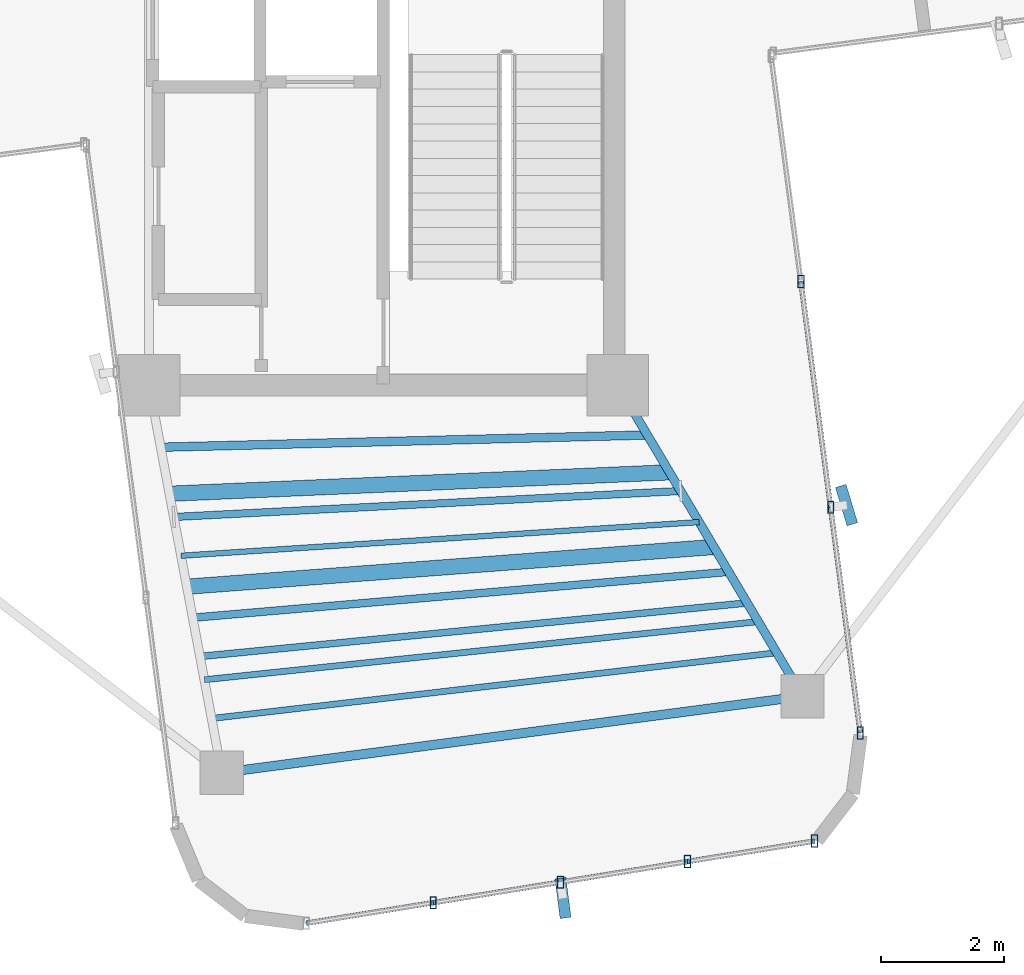
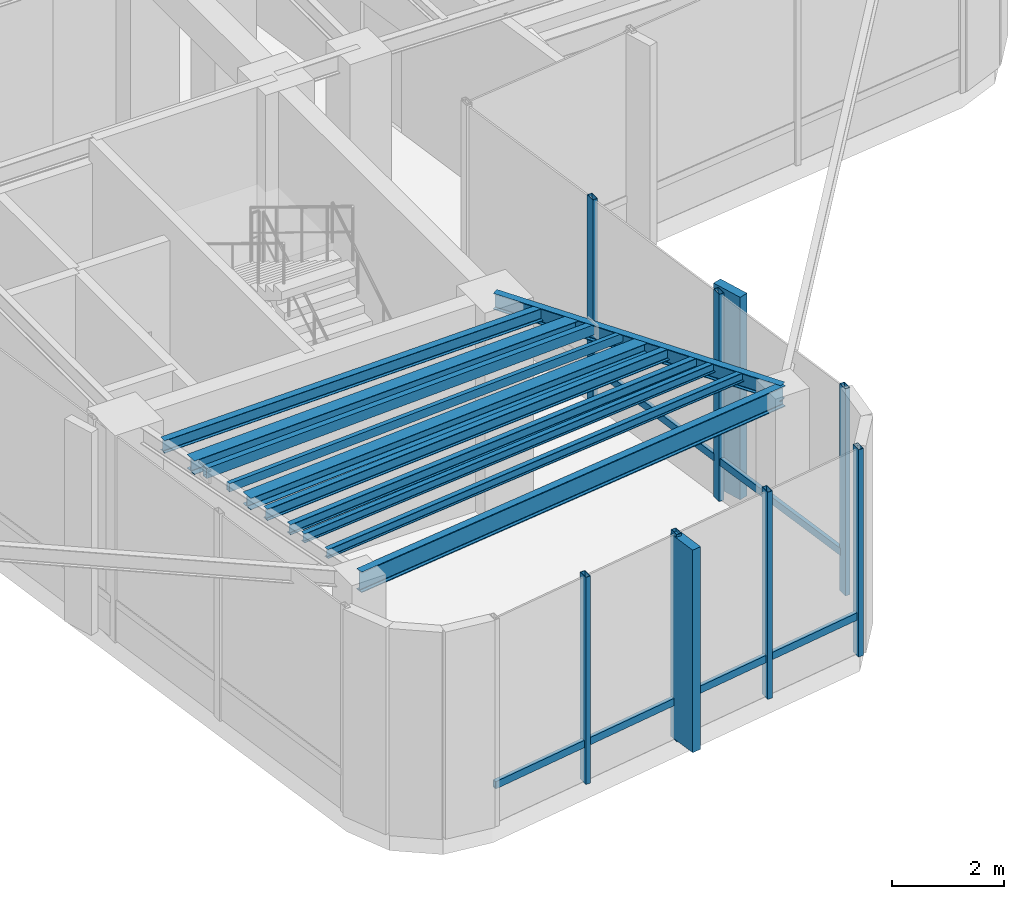
# One storey, part 3 of 16: 15 members, 11 beams, 2 elements without a shape of their own.
"""IFC4 building model written with IfcOpenShell, lengths in metres."""

from ifc_helpers import new_model, si_unit, direction, frame, origin, origin_2d, place, context, subcontext, project, spatial, rectangle, hollow_rectangle, i_section, extrude, source, transform, mapped, material, material_profile, profile_set, type_object, element, aggregate, save


model = new_model("IFC4")

# Units and contexts
model_context = context("Model", 3, precision=1e-05, world=origin(), true_north=direction((0.0, 1.0)))
body_context = subcontext(model_context, "Body", "Model", "MODEL_VIEW")
ifc_project = project(units=[si_unit("LENGTHUNIT", "METRE"), si_unit("AREAUNIT", "SQUARE_METRE"), si_unit("VOLUMEUNIT", "CUBIC_METRE"), si_unit("PLANEANGLEUNIT", "RADIAN"), si_unit("MASSUNIT", "GRAM", prefix="KILO")], contexts=[model_context])

# Site, building, storey
site_placement = place(None, origin())
site = spatial("IfcSite", under=ifc_project, at=site_placement, CompositionType="ELEMENT")
building_placement = place(site_placement, origin())
building = spatial("IfcBuilding", under=site, at=building_placement, Name="Sahyath Konkavel Grand Hotel", CompositionType="ELEMENT")
storey_placement = place(building_placement, frame((0.0, 0.0, 280.300048828125)))
storey = spatial("IfcBuildingStorey", under=building, at=storey_placement, Name="L78", CompositionType="ELEMENT", Elevation=280.300048828125)

# Beams
ifc_material_1 = material(Name="Steel E350", Category="steel")
ifc_material_profile_1 = material_profile(ifc_material_1, i_section(OverallWidth=0.14990234375, OverallDepth=0.449951171875, WebThickness=0.009521484375, FlangeThickness=0.017333984375, FilletRadius=0.014892578125, at=origin_2d()), Name="ISMB 450")
ifc_profile_set_1 = profile_set([ifc_material_profile_1], Name="Steel E350")
beam_type_1 = type_object("IfcBeamType", Name="BM-ISMB450", PredefinedType="BEAM", material=ifc_profile_set_1)
shared_shape_1 = source(origin(), body_context, "Body", "SweptSolid", [
    extrude(i_section(OverallWidth=0.14990234375, OverallDepth=0.449951171875, WebThickness=0.009521484375, FlangeThickness=0.017333984375, FilletRadius=0.014892578125, at=origin_2d()), origin(), (0.0, 0.0, 1.0), 9.5),
])
beam_1_placement = place(storey_placement, frame((-2.620849609375, -16.483154296875, 4.27490234375), z_axis=(0.991444933556, 0.130525643939, 0.0), x_axis=(-0.130525643939, 0.991444933556, 0.0)))
element("IfcBeam", 1, at=beam_1_placement, inside=storey, type_object=beam_type_1, Name="L78 Wing Tip Edge Beam S", PredefinedType="BEAM", context=body_context, shape_type="MappedRepresentation", body=[
    mapped(shared_shape_1, transform((0.0, 0.0, 0.0), scale=1.0)),
])
ifc_material_profile_2 = material_profile(ifc_material_1, i_section(OverallWidth=0.139892578125, OverallDepth=0.35009765625, WebThickness=0.008056640625, FlangeThickness=0.01416015625, FilletRadius=0.013916015625, at=origin_2d()), Name="ISMB 350")
ifc_profile_set_2 = profile_set([ifc_material_profile_2], Name="Steel E350")
beam_type_2 = type_object("IfcBeamType", Name="BM-ISMB350", PredefinedType="BEAM", material=ifc_profile_set_2)
shared_shape_2 = source(origin(), body_context, "Body", "SweptSolid", [
    extrude(i_section(OverallWidth=0.139892578125, OverallDepth=0.35009765625, WebThickness=0.008056640625, FlangeThickness=0.01416015625, FilletRadius=0.013916015625, at=origin_2d()), origin(), (0.0, 0.0, 1.0), 5.866943359375),
])
beam_2_placement = place(storey_placement, frame((3.800048828125, -10.199951171875, 4.324951171875), z_axis=(0.510966539123, -0.859600602546, 0.0), x_axis=(0.859600602546, 0.510966539123, 0.0)))
element("IfcBeam", 2, at=beam_2_placement, inside=storey, type_object=beam_type_2, Name="L78 Cruciform Radial Girder SB", PredefinedType="BEAM", context=body_context, shape_type="MappedRepresentation", body=[
    mapped(shared_shape_2, transform((0.0, 0.0, 0.0), scale=1.0)),
])
ifc_material_profile_3 = material_profile(ifc_material_1, i_section(OverallWidth=0.25, OverallDepth=0.300048828125, WebThickness=0.009521484375, FlangeThickness=0.010498046875, FilletRadius=0.010986328125, at=origin_2d()), Name="ISHB 300")
ifc_profile_set_3 = profile_set([ifc_material_profile_3], Name="Steel E350")
beam_type_3 = type_object("IfcBeamType", Name="BM-ISHB300", PredefinedType="BEAM", material=ifc_profile_set_3)
shared_shape_3 = source(origin(), body_context, "Body", "SweptSolid", [
    extrude(i_section(OverallWidth=0.25, OverallDepth=0.300048828125, WebThickness=0.009521484375, FlangeThickness=0.010498046875, FilletRadius=0.010986328125, at=origin_2d()), origin(), (0.0, 0.0, 1.0), 8.11669921875),
])
beam_3_placement = place(storey_placement, frame((-3.469970703125, -11.959228515625, 4.349853515625), z_axis=(0.999084879956, 0.042771516718, 0.0), x_axis=(-0.042771516718, 0.999084879956, 0.0)))
element("IfcBeam", 3, at=beam_3_placement, inside=storey, type_object=beam_type_3, Name="L78 Secondary Floor Beam S-1", PredefinedType="BEAM", context=body_context, shape_type="MappedRepresentation", body=[
    mapped(shared_shape_3, transform((0.0, 0.0, 0.0), scale=1.0)),
])
ifc_material_profile_4 = material_profile(ifc_material_1, i_section(OverallWidth=0.25, OverallDepth=0.25, WebThickness=0.0087890625, FlangeThickness=0.009765625, FilletRadius=0.010009765625, at=origin_2d()), Name="ISHB 250")
ifc_profile_set_4 = profile_set([ifc_material_profile_4], Name="Steel E350")
beam_type_4 = type_object("IfcBeamType", Name="BM-ISHB250", PredefinedType="BEAM", material=ifc_profile_set_4)
shared_shape_4 = source(origin(), body_context, "Body", "SweptSolid", [
    extrude(i_section(OverallWidth=0.25, OverallDepth=0.25, WebThickness=0.0087890625, FlangeThickness=0.009765625, FilletRadius=0.010009765625, at=origin_2d()), origin(), (0.0, 0.0, 1.0), 8.570068359375),
])
beam_4_placement = place(storey_placement, frame((-3.18701171875, -13.46728515625, 4.375), z_axis=(0.997165854664, 0.075234688098, 0.0), x_axis=(-0.075234688098, 0.997165854664, 0.0)))
element("IfcBeam", 4, at=beam_4_placement, inside=storey, type_object=beam_type_4, Name="L78 Secondary Floor Beam S-2", PredefinedType="BEAM", context=body_context, shape_type="MappedRepresentation", body=[
    mapped(shared_shape_4, transform((0.0, 0.0, 0.0), scale=1.0)),
])
ifc_material_profile_5 = material_profile(ifc_material_1, i_section(OverallWidth=0.10009765625, OverallDepth=0.199951171875, WebThickness=0.005615234375, FlangeThickness=0.0107421875, FilletRadius=0.010986328125, at=origin_2d()), Name="ISMB 200")
ifc_profile_set_5 = profile_set([ifc_material_profile_5], Name="Steel E350")
beam_type_5 = type_object("IfcBeamType", Name="BM-ISMB200", PredefinedType="BEAM", material=ifc_profile_set_5)
shared_shape_5 = source(origin(), body_context, "Body", "SweptSolid", [
    extrude(i_section(OverallWidth=0.10009765625, OverallDepth=0.199951171875, WebThickness=0.005615234375, FlangeThickness=0.0107421875, FilletRadius=0.010986328125, at=origin_2d()), origin(), (0.0, 0.0, 1.0), 9.031494140625),
])
beam_5_placement = place(storey_placement, frame((-2.90380859375, -14.97509765625, 4.39990234375), z_axis=(0.994541240043, 0.104344246869, 0.0), x_axis=(-0.104344246869, 0.994541240043, 0.0)))
element("IfcBeam", 5, at=beam_5_placement, inside=storey, type_object=beam_type_5, Name="L78 Secondary Floor Beam S-3", PredefinedType="BEAM", context=body_context, shape_type="MappedRepresentation", body=[
    mapped(shared_shape_5, transform((0.0, 0.0, 0.0), scale=1.0)),
])
ifc_material_profile_6 = material_profile(ifc_material_1, i_section(OverallWidth=0.139892578125, OverallDepth=0.27490234375, WebThickness=0.00634765625, FlangeThickness=0.0087890625, FilletRadius=0.012939453125, at=origin_2d()), Name="ISLB 275")
ifc_profile_set_6 = profile_set([ifc_material_profile_6], Name="Steel E350")
beam_type_6 = type_object("IfcBeamType", Name="BM-ISLB275", PredefinedType="BEAM", material=ifc_profile_set_6)
shared_shape_6 = source(origin(), body_context, "Body", "SweptSolid", [
    extrude(i_section(OverallWidth=0.139892578125, OverallDepth=0.27490234375, WebThickness=0.00634765625, FlangeThickness=0.0087890625, FilletRadius=0.012939453125, at=origin_2d()), origin(), (0.0, 0.0, 1.0), 7.893310546875),
])
beam_6_placement = place(storey_placement, frame((-3.611328125, -11.205322265625, 4.362548828125), z_axis=(0.999683790083, 0.025145970772, 0.0), x_axis=(-0.025145970772, 0.999683790083, 0.0)))
element("IfcBeam", 6, at=beam_6_placement, inside=storey, type_object=beam_type_6, Name="L78 Composite Deck Sub-Beam S-1", PredefinedType="BEAM", context=body_context, shape_type="MappedRepresentation", body=[
    mapped(shared_shape_6, transform((0.0, 0.0, 0.0), scale=1.0)),
])
ifc_material_profile_7 = material_profile(ifc_material_1, hollow_rectangle(XDim=0.1201171875, YDim=0.219970703125, WallThickness=0.010009765625, at=origin_2d()), Name="RHS 220x120x10")
ifc_profile_set_7 = profile_set([ifc_material_profile_7], Name="Steel E350")
beam_type_7 = type_object("IfcBeamType", Name="BM-RHS220", PredefinedType="BEAM", material=ifc_profile_set_7)
shared_shape_7 = source(origin(), body_context, "Body", "SweptSolid", [
    extrude(hollow_rectangle(XDim=0.1201171875, YDim=0.219970703125, WallThickness=0.010009765625, at=origin_2d()), origin(), (0.0, 0.0, 1.0), 8.229248046875),
])
beam_7_placement = place(storey_placement, frame((-3.399169921875, -12.336181640625, 4.389892578125), z_axis=(0.998688130329, 0.051205647534, 0.0), x_axis=(-0.051205647534, 0.998688130329, 0.0)))
element("IfcBeam", 7, at=beam_7_placement, inside=storey, type_object=beam_type_7, Name="L78 Composite Deck Sub-Beam S-2", PredefinedType="BEAM", context=body_context, shape_type="MappedRepresentation", body=[
    mapped(shared_shape_7, transform((0.0, 0.0, 0.0), scale=1.0)),
])
ifc_material_profile_8 = material_profile(ifc_material_1, hollow_rectangle(XDim=0.090087890625, YDim=0.179931640625, WallThickness=0.008056640625, at=origin_2d()), Name="RHS 180x90x8")
ifc_profile_set_8 = profile_set([ifc_material_profile_8], Name="Steel E350")
beam_type_8 = type_object("IfcBeamType", Name="BM-RHS180", PredefinedType="BEAM", material=ifc_profile_set_8)
shared_shape_8 = source(origin(), body_context, "Body", "SweptSolid", [
    extrude(hollow_rectangle(XDim=0.090087890625, YDim=0.179931640625, WallThickness=0.008056640625, at=origin_2d()), origin(), (0.0, 0.0, 1.0), 8.41796875),
])
beam_8_placement = place(storey_placement, frame((-3.28125, -12.964599609375, 4.409912109375), z_axis=(0.997896901011, 0.064821099595, 0.0), x_axis=(-0.064821099595, 0.997896901011, 0.0)))
element("IfcBeam", 8, at=beam_8_placement, inside=storey, type_object=beam_type_8, Name="L78 Composite Deck Sub-Beam S-3", PredefinedType="BEAM", context=body_context, shape_type="MappedRepresentation", body=[
    mapped(shared_shape_8, transform((0.0, 0.0, 0.0), scale=1.0)),
])
ifc_material_profile_9 = material_profile(ifc_material_1, i_section(OverallWidth=0.125, OverallDepth=0.25, WebThickness=0.0068359375, FlangeThickness=0.012451171875, FilletRadius=0.012939453125, at=origin_2d()), Name="ISMB 250")
ifc_profile_set_9 = profile_set([ifc_material_profile_9], Name="Steel E350")
beam_type_9 = type_object("IfcBeamType", Name="BM-ISMB250", PredefinedType="BEAM", material=ifc_profile_set_9)
shared_shape_9 = source(origin(), body_context, "Body", "SweptSolid", [
    extrude(i_section(OverallWidth=0.125, OverallDepth=0.25, WebThickness=0.0068359375, FlangeThickness=0.012451171875, FilletRadius=0.012939453125, at=origin_2d()), origin(), (0.0, 0.0, 1.0), 8.722900390625),
])
beam_9_placement = place(storey_placement, frame((-3.092529296875, -13.969970703125, 4.375), z_axis=(0.996354605721, 0.085308262542, 0.0), x_axis=(-0.085308262542, 0.996354605721, 0.0)))
element("IfcBeam", 9, at=beam_9_placement, inside=storey, type_object=beam_type_9, Name="L78 Composite Deck Sub-Beam S-4", PredefinedType="BEAM", context=body_context, shape_type="MappedRepresentation", body=[
    mapped(shared_shape_9, transform((0.0, 0.0, 0.0), scale=1.0)),
])
ifc_material_profile_10 = material_profile(ifc_material_1, i_section(OverallWidth=0.110107421875, OverallDepth=0.22509765625, WebThickness=0.006591796875, FlangeThickness=0.01171875, FilletRadius=0.011962890625, at=origin_2d()), Name="ISMB 225")
ifc_profile_set_10 = profile_set([ifc_material_profile_10], Name="Steel E350")
beam_type_10 = type_object("IfcBeamType", Name="BM-ISMB225", PredefinedType="BEAM", material=ifc_profile_set_10)
shared_shape_10 = source(origin(), body_context, "Body", "SweptSolid", [
    extrude(i_section(OverallWidth=0.110107421875, OverallDepth=0.22509765625, WebThickness=0.006591796875, FlangeThickness=0.01171875, FilletRadius=0.011962890625, at=origin_2d()), origin(), (0.0, 0.0, 1.0), 8.915283203125),
])
beam_10_placement = place(storey_placement, frame((-2.974609375, -14.59814453125, 4.387451171875), z_axis=(0.995250138935, 0.097350711092, 0.0), x_axis=(-0.097350711092, 0.995250138935, 0.0)))
element("IfcBeam", 10, at=beam_10_placement, inside=storey, type_object=beam_type_10, Name="L78 Composite Deck Sub-Beam S-5", PredefinedType="BEAM", context=body_context, shape_type="MappedRepresentation", body=[
    mapped(shared_shape_10, transform((0.0, 0.0, 0.0), scale=1.0)),
])
shared_shape_11 = source(origin(), body_context, "Body", "SweptSolid", [
    extrude(i_section(OverallWidth=0.10009765625, OverallDepth=0.199951171875, WebThickness=0.005615234375, FlangeThickness=0.0107421875, FilletRadius=0.010986328125, at=origin_2d()), origin(), (0.0, 0.0, 1.0), 9.225830078125),
])
beam_11_placement = place(storey_placement, frame((-2.785888671875, -15.603515625, 4.39990234375), z_axis=(0.993297209422, 0.115588294191, 0.0), x_axis=(-0.115588294191, 0.993297209422, 0.0)))
element("IfcBeam", 11, at=beam_11_placement, inside=storey, type_object=beam_type_5, Name="L78 Composite Deck Sub-Beam S-6", PredefinedType="BEAM", context=body_context, shape_type="MappedRepresentation", body=[
    mapped(shared_shape_11, transform((0.0, 0.0, 0.0), scale=1.0)),
])

# Curtain wall, members
ifc_material_2 = material(Name="Anodised Bronze Aluminium & Low-E Glazing", Category="aluminium")
curtain_wall_type = type_object("IfcCurtainWallType", Name="CW-CROWN-TMD", PredefinedType="NOTDEFINED", material=ifc_material_2)
curtain_wall_1_placement = place(storey_placement, origin())
curtain_wall_1 = element("IfcCurtainWall", 12, at=curtain_wall_1_placement, inside=storey, type_object=curtain_wall_type, Name="L78 Unitised Curtain Wall F28", PredefinedType="NOTDEFINED")
ifc_material_3 = material(Name="Anodised Bronze Aluminium", Category="aluminium")
ifc_material_profile_11 = material_profile(ifc_material_3, hollow_rectangle(XDim=0.080078125, YDim=0.159912109375, WallThickness=0.006103515625, at=origin_2d()), Name="RHS 160x80x6")
ifc_profile_set_11 = profile_set([ifc_material_profile_11], Name="Anodised Bronze Aluminium")
member_type_1 = type_object("IfcMemberType", Name="CW-TRN-160", PredefinedType="USERDEFINED", material=ifc_profile_set_11)
shared_shape_12 = source(origin(), body_context, "Body", "SweptSolid", [
    extrude(hollow_rectangle(XDim=0.080078125, YDim=0.159912109375, WallThickness=0.006103515625, at=origin_2d()), origin(), (0.0, 0.0, 1.0), 2.08740234375),
])
member_1_placement = place(storey_placement, frame((4.930419921875, -17.92431640625, 0.849853515625), z_axis=(0.98719124923, 0.159541334591, 0.0), x_axis=(-0.159541334591, 0.98719124923, 0.0)))
member_1 = element("IfcMember", 13, at=member_1_placement, type_object=member_type_1, Name="L78 Curtain Wall Transom F28-3-spandrel", ObjectType="TRANSOM", PredefinedType="USERDEFINED", context=body_context, shape_type="MappedRepresentation", body=[
    mapped(shared_shape_12, transform((0.0, 0.0, 0.0), scale=1.0)),
])
shared_shape_13 = source(origin(), body_context, "Body", "SweptSolid", [
    extrude(hollow_rectangle(XDim=0.080078125, YDim=0.159912109375, WallThickness=0.006103515625, at=origin_2d()), origin(), (0.0, 0.0, 1.0), 2.087158203125),
])
member_2_placement = place(storey_placement, frame((-1.25048828125, -18.923828125, 0.849853515625), z_axis=(0.987188271533, 0.159559758546, 0.0), x_axis=(-0.159559758546, 0.987188271533, 0.0)))
member_2 = element("IfcMember", 14, at=member_2_placement, type_object=member_type_1, Name="L78 Curtain Wall Transom F28-0-spandrel", ObjectType="TRANSOM", PredefinedType="USERDEFINED", context=body_context, shape_type="MappedRepresentation", body=[
    mapped(shared_shape_13, transform((0.0, 0.0, 0.0), scale=1.0)),
])
member_3_placement = place(storey_placement, frame((0.809814453125, -18.5908203125, 0.849853515625), z_axis=(0.98716983924, 0.159673756436, 0.0), x_axis=(-0.159673756436, 0.98716983924, 0.0)))
member_3 = element("IfcMember", 15, at=member_3_placement, type_object=member_type_1, Name="L78 Curtain Wall Transom F28-1-spandrel", ObjectType="TRANSOM", PredefinedType="USERDEFINED", context=body_context, shape_type="MappedRepresentation", body=[
    mapped(shared_shape_13, transform((0.0, 0.0, 0.0), scale=1.0)),
])
member_4_placement = place(storey_placement, frame((2.8701171875, -18.257568359375, 0.849853515625), z_axis=(0.98716983924, 0.159673756436, 0.0), x_axis=(-0.159673756436, 0.98716983924, 0.0)))
member_4 = element("IfcMember", 16, at=member_4_placement, type_object=member_type_1, Name="L78 Curtain Wall Transom F28-2-spandrel", ObjectType="TRANSOM", PredefinedType="USERDEFINED", context=body_context, shape_type="MappedRepresentation", body=[
    mapped(shared_shape_13, transform((0.0, 0.0, 0.0), scale=1.0)),
])
ifc_material_profile_12 = material_profile(ifc_material_3, hollow_rectangle(XDim=0.10009765625, YDim=0.199951171875, WallThickness=0.008056640625, at=origin_2d()), Name="RHS 200x100x8")
ifc_profile_set_12 = profile_set([ifc_material_profile_12], Name="Anodised Bronze Aluminium")
member_type_2 = type_object("IfcMemberType", Name="CW-MUL-200", PredefinedType="MULLION", material=ifc_profile_set_12)
shared_shape_14 = source(origin(), body_context, "Body", "SweptSolid", [
    extrude(hollow_rectangle(XDim=0.10009765625, YDim=0.199951171875, WallThickness=0.008056640625, at=origin_2d()), origin(), (0.0, 0.0, 1.0), 4.5),
])
member_5_placement = place(storey_placement, frame((0.809814453125, -18.5908203125, 0.0), z_axis=(0.0, 0.0, 1.0), x_axis=(1.0, 0.0, 0.0)))
member_5 = element("IfcMember", 17, at=member_5_placement, type_object=member_type_2, Name="L78 Curtain Wall Mullion F28-1", PredefinedType="MULLION", context=body_context, shape_type="MappedRepresentation", body=[
    mapped(shared_shape_14, transform((0.0, 0.0, 0.0), scale=1.0)),
])
member_6_placement = place(storey_placement, frame((2.8701171875, -18.257568359375, 0.0), z_axis=(0.0, 0.0, 1.0), x_axis=(1.0, 0.0, 0.0)))
member_6 = element("IfcMember", 18, at=member_6_placement, type_object=member_type_2, Name="L78 Curtain Wall Mullion F28-2", PredefinedType="MULLION", context=body_context, shape_type="MappedRepresentation", body=[
    mapped(shared_shape_14, transform((0.0, 0.0, 0.0), scale=1.0)),
])
member_7_placement = place(storey_placement, frame((4.930419921875, -17.92431640625, 0.0), z_axis=(0.0, 0.0, 1.0), x_axis=(1.0, 0.0, 0.0)))
member_7 = element("IfcMember", 19, at=member_7_placement, type_object=member_type_2, Name="L78 Curtain Wall Mullion F28-3", PredefinedType="MULLION", context=body_context, shape_type="MappedRepresentation", body=[
    mapped(shared_shape_14, transform((0.0, 0.0, 0.0), scale=1.0)),
])
member_8_placement = place(storey_placement, frame((6.990966796875, -17.59130859375, 0.0), z_axis=(0.0, 0.0, 1.0), x_axis=(1.0, 0.0, 0.0)))
member_8 = element("IfcMember", 20, at=member_8_placement, type_object=member_type_2, Name="L78 Curtain Wall Mullion F28-4", PredefinedType="MULLION", context=body_context, shape_type="MappedRepresentation", body=[
    mapped(shared_shape_14, transform((0.0, 0.0, 0.0), scale=1.0)),
])

curtain_wall_2_placement = place(storey_placement, origin())
curtain_wall_2 = element("IfcCurtainWall", 21, at=curtain_wall_2_placement, inside=storey, type_object=curtain_wall_type, Name="L78 Unitised Curtain Wall F31", PredefinedType="NOTDEFINED")
member_9_placement = place(storey_placement, frame((7.733154296875, -15.836181640625, 0.0), z_axis=(0.0, 0.0, 1.0), x_axis=(1.0, 0.0, 0.0)))
member_9 = element("IfcMember", 22, at=member_9_placement, type_object=member_type_2, Name="L78 Curtain Wall Mullion F31-0", PredefinedType="MULLION", context=body_context, shape_type="MappedRepresentation", body=[
    mapped(shared_shape_14, transform((0.0, 0.0, 0.0), scale=1.0)),
])
member_10_placement = place(storey_placement, frame((7.25146484375, -12.177734375, 0.0), z_axis=(0.0, 0.0, 1.0), x_axis=(1.0, 0.0, 0.0)))
member_10 = element("IfcMember", 23, at=member_10_placement, type_object=member_type_2, Name="L78 Curtain Wall Mullion F31-1", PredefinedType="MULLION", context=body_context, shape_type="MappedRepresentation", body=[
    mapped(shared_shape_14, transform((0.0, 0.0, 0.0), scale=1.0)),
])
member_11_placement = place(storey_placement, frame((6.77001953125, -8.519287109375, 0.0), z_axis=(0.0, 0.0, 1.0), x_axis=(1.0, 0.0, 0.0)))
member_11 = element("IfcMember", 24, at=member_11_placement, type_object=member_type_2, Name="L78 Curtain Wall Mullion F31-2", PredefinedType="MULLION", context=body_context, shape_type="MappedRepresentation", body=[
    mapped(shared_shape_14, transform((0.0, 0.0, 0.0), scale=1.0)),
])

# Member
ifc_material_4 = material(Name="Warm Buff Sandstone Cladding on Concrete C50/60", Category="masonry")
ifc_material_profile_13 = material_profile(ifc_material_4, rectangle(XDim=0.179931640625, YDim=0.64990234375, at=origin_2d()), Name="FIN 180x650")
ifc_profile_set_13 = profile_set([ifc_material_profile_13], Name="Warm Buff Sandstone Cladding on Concrete C50/60")
member_type_3 = type_object("IfcMemberType", Name="FIN-SANDSTONE-650", PredefinedType="MULLION", material=ifc_profile_set_13)
shared_shape_15 = source(origin(), body_context, "Body", "SweptSolid", [
    extrude(rectangle(XDim=0.179931640625, YDim=0.64990234375, at=origin_2d()), origin(), (0.0, 0.0, 1.0), 4.39990234375),
])
member_12_placement = place(storey_placement, frame((2.91162109375, -18.514404296875, 0.050048828125), z_axis=(0.0, 0.0, 1.0), x_axis=(0.991648668207, 0.128968673884, 0.0)))
member_12 = element("IfcMember", 25, at=member_12_placement, type_object=member_type_3, Name="L78 Sandstone Vertical Solar Fin FIN F28-2", PredefinedType="MULLION", context=body_context, shape_type="MappedRepresentation", body=[
    mapped(shared_shape_15, transform((0.0, 0.0, 0.0), scale=1.0)),
])

aggregate(curtain_wall_1, [member_5, member_6, member_12, member_7, member_8, member_2, member_3, member_4, member_1])

member_13_placement = place(storey_placement, frame((7.50927734375, -12.143798828125, 0.050048828125), z_axis=(0.0, 0.0, 1.0), x_axis=(0.957117481996, 0.289700061544, 0.0)))
member_13 = element("IfcMember", 26, at=member_13_placement, type_object=member_type_3, Name="L78 Sandstone Vertical Solar Fin FIN F31-1", PredefinedType="MULLION", context=body_context, shape_type="MappedRepresentation", body=[
    mapped(shared_shape_15, transform((0.0, 0.0, 0.0), scale=1.0)),
])

shared_shape_16 = source(origin(), body_context, "Body", "SweptSolid", [
    extrude(hollow_rectangle(XDim=0.080078125, YDim=0.159912109375, WallThickness=0.006103515625, at=origin_2d()), origin(), (0.0, 0.0, 1.0), 3.68994140625),
])
member_14_placement = place(storey_placement, frame((7.733154296875, -15.836181640625, 0.849853515625), z_axis=(-0.130538374835, 0.991443257426, 0.0), x_axis=(-0.991443257426, -0.130538374835, 0.0)))
member_14 = element("IfcMember", 27, at=member_14_placement, type_object=member_type_1, Name="L78 Curtain Wall Transom F31-0-spandrel", ObjectType="TRANSOM", PredefinedType="USERDEFINED", context=body_context, shape_type="MappedRepresentation", body=[
    mapped(shared_shape_16, transform((0.0, 0.0, 0.0), scale=1.0)),
])

member_15_placement = place(storey_placement, frame((7.25146484375, -12.177734375, 0.849853515625), z_axis=(-0.130473339038, 0.991451818194, 0.0), x_axis=(-0.991451818194, -0.130473339038, 0.0)))
member_15 = element("IfcMember", 28, at=member_15_placement, type_object=member_type_1, Name="L78 Curtain Wall Transom F31-1-spandrel", ObjectType="TRANSOM", PredefinedType="USERDEFINED", context=body_context, shape_type="MappedRepresentation", body=[
    mapped(shared_shape_16, transform((0.0, 0.0, 0.0), scale=1.0)),
])

aggregate(curtain_wall_2, [member_9, member_10, member_13, member_11, member_14, member_15])

save(model, "model.ifc")
